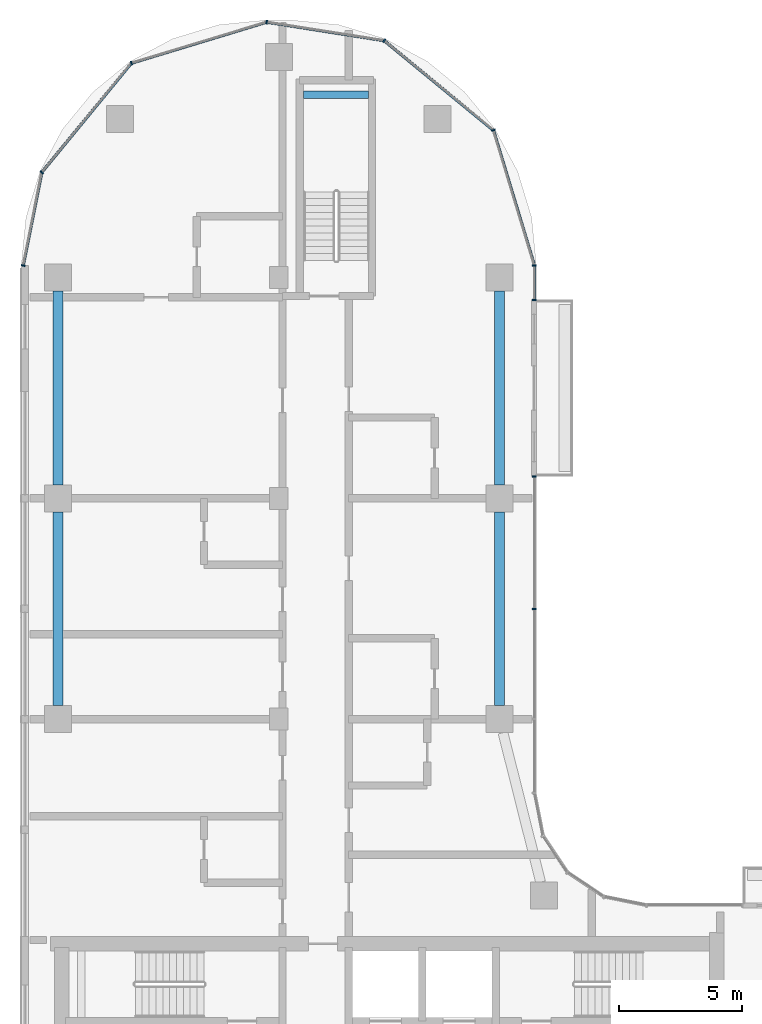
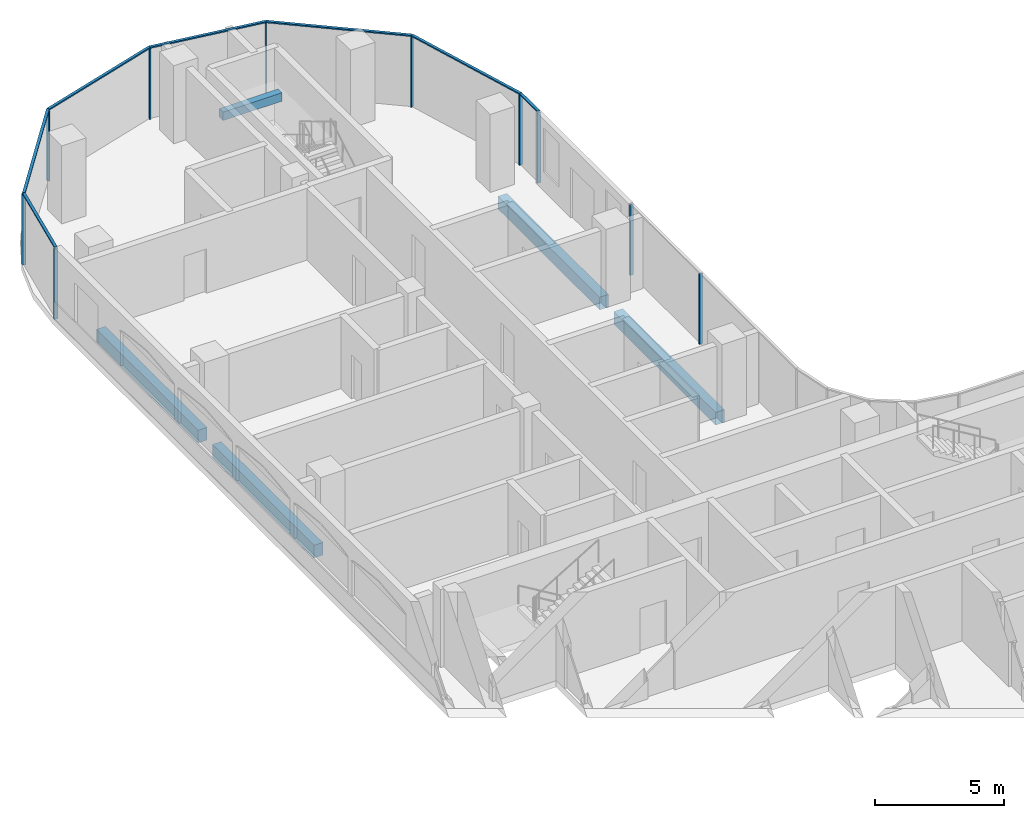
# One storey, part 4 of 22: 17 members, 5 beams, 3 elements without a shape of their own.
"""IFC4 building model written with IfcOpenShell, lengths in metres."""

from ifc_helpers import new_model, si_unit, direction, frame, origin, origin_2d, place, context, subcontext, project, spatial, rectangle, extrude, material, material_profile, profile_set, type_object, element, aggregate, save


model = new_model("IFC4")

# Units and contexts
model_context = context("Model", 3, precision=1e-05, world=origin(), true_north=direction((0.0, 1.0)))
body_context = subcontext(model_context, "Body", "Model", "MODEL_VIEW")
ifc_project = project(units=[si_unit("LENGTHUNIT", "METRE"), si_unit("AREAUNIT", "SQUARE_METRE"), si_unit("VOLUMEUNIT", "CUBIC_METRE"), si_unit("PLANEANGLEUNIT", "RADIAN"), si_unit("MASSUNIT", "GRAM", prefix="KILO")], contexts=[model_context])

# Site, building, storey
site_placement = place(None, origin())
site = spatial("IfcSite", under=ifc_project, at=site_placement, CompositionType="ELEMENT")
building_placement = place(site_placement, origin())
building = spatial("IfcBuilding", under=site, at=building_placement, Name="Ogive Portal Towers", CompositionType="ELEMENT")
storey_placement = place(building_placement, frame((0.0, 0.0, 145.89990234375)))
storey = spatial("IfcBuildingStorey", under=building, at=storey_placement, Name="L35", CompositionType="ELEMENT", Elevation=145.89990234375)

# Beam
ifc_material_1 = material(Name="Concrete C40/50", Category="concrete")
ifc_material_profile_1 = material_profile(ifc_material_1, rectangle(XDim=0.300048828125, YDim=0.39990234375, at=origin_2d()), Name="RC 300x400")
ifc_profile_set_1 = profile_set([ifc_material_profile_1], Name="Concrete C40/50")
beam_type_1 = type_object("IfcBeamType", Name="BEAM RC 300x400", PredefinedType="BEAM", material=ifc_profile_set_1)
beam_placement = place(storey_placement, frame((41.5, 73.949951171875, 1.4501953125), z_axis=(1.0, 0.0, 0.0), x_axis=(0.0, 1.0, 0.0)))
element("IfcBeam", 1, at=beam_placement, inside=storey, type_object=beam_type_1, Name="Landing beam L35", PredefinedType="BEAM", context=body_context, shape_type="SweptSolid", body=[
    extrude(rectangle(XDim=0.300048828125, YDim=0.39990234375, at=origin_2d()), origin(), (0.0, 0.0, 1.0), 2.64990234375),
])

# Curtain wall, members
ifc_material_2 = material(Name="Glass, clear low-iron insulated glazing", Category="glass")
curtain_wall_type = type_object("IfcCurtainWallType", Name="CW FRONT RIBBON 4500", PredefinedType="NOTDEFINED", material=ifc_material_2)
curtain_wall_1_placement = place(storey_placement, origin())
curtain_wall_1 = element("IfcCurtainWall", 2, at=curtain_wall_1_placement, inside=storey, type_object=curtain_wall_type, Name="A:L35:f17:cw0", PredefinedType="NOTDEFINED")
ifc_material_3 = material(Name="Aluminium 6063 anodised", Category="aluminium")
ifc_material_profile_2 = material_profile(ifc_material_3, rectangle(XDim=0.159912109375, YDim=0.06005859375, at=origin_2d()), Name="AL 60x160")
ifc_profile_set_2 = profile_set([ifc_material_profile_2], Name="Aluminium 6063 anodised")
member_type_1 = type_object("IfcMemberType", Name="CW MULLION 60x160", PredefinedType="MULLION", material=ifc_profile_set_2)
member_1_placement = place(storey_placement, frame((50.919921875, 53.0, 0.0), z_axis=(0.0, 0.0, 1.0), x_axis=(-1.0, 0.0, 0.0)))
member_1 = element("IfcMember", 3, at=member_1_placement, type_object=member_type_1, Name="mullion", PredefinedType="MULLION", context=body_context, shape_type="SweptSolid", body=[
    extrude(rectangle(XDim=0.159912109375, YDim=0.06005859375, at=origin_2d()), origin(), (0.0, 0.0, 1.0), 3.340087890625),
])
member_2_placement = place(storey_placement, frame((50.919921875, 58.3896484375, 0.0), z_axis=(0.0, 0.0, 1.0), x_axis=(-1.0, 0.0, 0.0)))
member_2 = element("IfcMember", 4, at=member_2_placement, type_object=member_type_1, Name="mullion", PredefinedType="MULLION", context=body_context, shape_type="SweptSolid", body=[
    extrude(rectangle(XDim=0.159912109375, YDim=0.06005859375, at=origin_2d()), origin(), (0.0, 0.0, 1.0), 3.340087890625),
])
aggregate(curtain_wall_1, [member_1, member_2])

curtain_wall_2_placement = place(storey_placement, origin())
curtain_wall_2 = element("IfcCurtainWall", 5, at=curtain_wall_2_placement, inside=storey, type_object=curtain_wall_type, Name="A:L35:f17:cw1", PredefinedType="NOTDEFINED")
member_3_placement = place(storey_placement, frame((50.919921875, 65.58837890625, 0.0), z_axis=(0.0, 0.0, 1.0), x_axis=(-1.0, 0.0, 0.0)))
member_3 = element("IfcMember", 6, at=member_3_placement, type_object=member_type_1, Name="mullion", PredefinedType="MULLION", context=body_context, shape_type="SweptSolid", body=[
    extrude(rectangle(XDim=0.159912109375, YDim=0.06005859375, at=origin_2d()), origin(), (0.0, 0.0, 1.0), 3.340087890625),
])
member_4_placement = place(storey_placement, frame((50.919921875, 66.988037109375, 0.0), z_axis=(0.0, 0.0, 1.0), x_axis=(-1.0, 0.0, 0.0)))
member_4 = element("IfcMember", 7, at=member_4_placement, type_object=member_type_1, Name="mullion", PredefinedType="MULLION", context=body_context, shape_type="SweptSolid", body=[
    extrude(rectangle(XDim=0.159912109375, YDim=0.06005859375, at=origin_2d()), origin(), (0.0, 0.0, 1.0), 3.340087890625),
])

curtain_wall_3_placement = place(storey_placement, origin())
curtain_wall_3 = element("IfcCurtainWall", 8, at=curtain_wall_3_placement, inside=storey, type_object=curtain_wall_type, Name="A:L35:f18:cwa", PredefinedType="NOTDEFINED")
member_5_placement = place(storey_placement, frame((49.2451171875, 72.50927734375, 0.0), z_axis=(0.0, 0.0, 1.0), x_axis=(-0.956940335732, -0.290284677254, 0.0)))
member_5 = element("IfcMember", 9, at=member_5_placement, type_object=member_type_1, Name="mullion", PredefinedType="MULLION", context=body_context, shape_type="SweptSolid", body=[
    extrude(rectangle(XDim=0.159912109375, YDim=0.06005859375, at=origin_2d()), origin(), (0.0, 0.0, 1.0), 3.340087890625),
])
member_6_placement = place(storey_placement, frame((44.79296875, 76.1630859375, 0.0), z_axis=(0.0, 0.0, 1.0), x_axis=(-0.634393284164, -0.773010453363, 0.0)))
member_6 = element("IfcMember", 10, at=member_6_placement, type_object=member_type_1, Name="mullion", PredefinedType="MULLION", context=body_context, shape_type="SweptSolid", body=[
    extrude(rectangle(XDim=0.159912109375, YDim=0.06005859375, at=origin_2d()), origin(), (0.0, 0.0, 1.0), 3.340087890625),
])
member_7_placement = place(storey_placement, frame((40.005615234375, 76.918212890625, 0.0), z_axis=(0.0, 0.0, 1.0), x_axis=(-0.155777466355, -0.987792174992, 0.0)))
member_7 = element("IfcMember", 11, at=member_7_placement, type_object=member_type_1, Name="mullion", PredefinedType="MULLION", context=body_context, shape_type="SweptSolid", body=[
    extrude(rectangle(XDim=0.159912109375, YDim=0.06005859375, at=origin_2d()), origin(), (0.0, 0.0, 1.0), 3.340087890625),
])
member_8_placement = place(storey_placement, frame((34.49072265625, 75.2451171875, 0.0), z_axis=(0.0, 0.0, 1.0), x_axis=(0.290284677254, -0.956940335732, 0.0)))
member_8 = element("IfcMember", 12, at=member_8_placement, type_object=member_type_1, Name="mullion", PredefinedType="MULLION", context=body_context, shape_type="SweptSolid", body=[
    extrude(rectangle(XDim=0.159912109375, YDim=0.06005859375, at=origin_2d()), origin(), (0.0, 0.0, 1.0), 3.340087890625),
])
member_9_placement = place(storey_placement, frame((30.835693359375, 70.79150390625, 0.0), z_axis=(0.0, 0.0, 1.0), x_axis=(0.773010453363, -0.634393284164, 0.0)))
member_9 = element("IfcMember", 13, at=member_9_placement, type_object=member_type_1, Name="mullion", PredefinedType="MULLION", context=body_context, shape_type="SweptSolid", body=[
    extrude(rectangle(XDim=0.159912109375, YDim=0.06005859375, at=origin_2d()), origin(), (0.0, 0.0, 1.0), 3.340087890625),
])
member_10_placement = place(storey_placement, frame((30.080078125, 66.9921875, 0.0), z_axis=(0.0, 0.0, 1.0), x_axis=(0.980785280403, -0.195090322016, 0.0)))
member_10 = element("IfcMember", 14, at=member_10_placement, type_object=member_type_1, Name="mullion", PredefinedType="MULLION", context=body_context, shape_type="SweptSolid", body=[
    extrude(rectangle(XDim=0.159912109375, YDim=0.06005859375, at=origin_2d()), origin(), (0.0, 0.0, 1.0), 3.340087890625),
])

# Member
ifc_material_profile_3 = material_profile(ifc_material_3, rectangle(XDim=0.1201171875, YDim=0.06005859375, at=origin_2d()), Name="AL 120x60")
ifc_profile_set_3 = profile_set([ifc_material_profile_3], Name="Aluminium 6063 anodised")
member_type_2 = type_object("IfcMemberType", Name="CW TRANSOM 60x120", PredefinedType="USERDEFINED", material=ifc_profile_set_3)
member_11_placement = place(storey_placement, frame((50.919921875, 65.58837890625, 3.3701171875), z_axis=(0.0, 1.0, 0.0), x_axis=(-1.0, 0.0, 0.0)))
member_11 = element("IfcMember", 15, at=member_11_placement, type_object=member_type_2, Name="transom", ObjectType="TRANSOM", PredefinedType="USERDEFINED", context=body_context, shape_type="SweptSolid", body=[
    extrude(rectangle(XDim=0.1201171875, YDim=0.06005859375, at=origin_2d()), origin(), (0.0, 0.0, 1.0), 1.399658203125),
])

aggregate(curtain_wall_2, [member_11, member_3, member_4])

member_12_placement = place(storey_placement, frame((50.919921875, 66.988037109375, 3.3701171875), z_axis=(-0.290277499028, 0.956942513194, 0.0), x_axis=(-0.956942513194, -0.290277499028, 0.0)))
member_12 = element("IfcMember", 16, at=member_12_placement, type_object=member_type_2, Name="transom", ObjectType="TRANSOM", PredefinedType="USERDEFINED", context=body_context, shape_type="SweptSolid", body=[
    extrude(rectangle(XDim=0.1201171875, YDim=0.06005859375, at=origin_2d()), origin(), (0.0, 0.0, 1.0), 5.769775390625),
])

member_13_placement = place(storey_placement, frame((49.2451171875, 72.50927734375, 3.3701171875), z_axis=(-0.773008341981, 0.634395856881, 0.0), x_axis=(-0.634395856881, -0.773008341981, 0.0)))
member_13 = element("IfcMember", 17, at=member_13_placement, type_object=member_type_2, Name="transom", ObjectType="TRANSOM", PredefinedType="USERDEFINED", context=body_context, shape_type="SweptSolid", body=[
    extrude(rectangle(XDim=0.1201171875, YDim=0.06005859375, at=origin_2d()), origin(), (0.0, 0.0, 1.0), 5.759521484375),
])

member_14_placement = place(storey_placement, frame((44.79296875, 76.1630859375, 3.3701171875), z_axis=(-0.987787459497, 0.155807364589, 0.0), x_axis=(-0.155807364589, -0.987787459497, 0.0)))
member_14 = element("IfcMember", 18, at=member_14_placement, type_object=member_type_2, Name="transom", ObjectType="TRANSOM", PredefinedType="USERDEFINED", context=body_context, shape_type="SweptSolid", body=[
    extrude(rectangle(XDim=0.1201171875, YDim=0.06005859375, at=origin_2d()), origin(), (0.0, 0.0, 1.0), 4.846435546875),
])

member_15_placement = place(storey_placement, frame((40.005615234375, 76.918212890625, 3.3701171875), z_axis=(-0.956932077168, -0.290311900697, 0.0), x_axis=(0.290311900697, -0.956932077168, 0.0)))
member_15 = element("IfcMember", 19, at=member_15_placement, type_object=member_type_2, Name="transom", ObjectType="TRANSOM", PredefinedType="USERDEFINED", context=body_context, shape_type="SweptSolid", body=[
    extrude(rectangle(XDim=0.1201171875, YDim=0.06005859375, at=origin_2d()), origin(), (0.0, 0.0, 1.0), 5.76318359375),
])

member_16_placement = place(storey_placement, frame((34.49072265625, 75.2451171875, 3.3701171875), z_axis=(-0.63439777858, -0.773006764869, 0.0), x_axis=(0.773006764869, -0.63439777858, 0.0)))
member_16 = element("IfcMember", 20, at=member_16_placement, type_object=member_type_2, Name="transom", ObjectType="TRANSOM", PredefinedType="USERDEFINED", context=body_context, shape_type="SweptSolid", body=[
    extrude(rectangle(XDim=0.1201171875, YDim=0.06005859375, at=origin_2d()), origin(), (0.0, 0.0, 1.0), 5.761474609375),
])

member_17_placement = place(storey_placement, frame((30.835693359375, 70.79150390625, 3.3701171875), z_axis=(-0.195061569373, -0.980790999221, 0.0), x_axis=(0.980790999221, -0.195061569373, 0.0)))
member_17 = element("IfcMember", 21, at=member_17_placement, type_object=member_type_2, Name="transom", ObjectType="TRANSOM", PredefinedType="USERDEFINED", context=body_context, shape_type="SweptSolid", body=[
    extrude(rectangle(XDim=0.1201171875, YDim=0.06005859375, at=origin_2d()), origin(), (0.0, 0.0, 1.0), 3.873779296875),
])

aggregate(curtain_wall_3, [member_12, member_13, member_14, member_15, member_16, member_17, member_5, member_6, member_7, member_8, member_9, member_10])

# Beams
ifc_material_profile_4 = material_profile(ifc_material_1, rectangle(XDim=0.39990234375, YDim=0.60009765625, at=origin_2d()), Name="RC 400x600")
ifc_profile_set_4 = profile_set([ifc_material_profile_4], Name="Concrete C40/50")
beam_type_2 = type_object("IfcBeamType", Name="SPANDREL BEAM RC 400x600", PredefinedType="BEAM", material=ifc_profile_set_4)
for number, where, z_axis, x_axis, name in (
    (22, (31.5, 49.050048828125, -0.599853515625), (0.0, 1.0, 0.0), (-1.0, 0.0, 0.0), "Spandrel beam L35"),
    (23, (31.5, 58.050048828125, -0.599853515625), (0.0, 1.0, 0.0), (-1.0, 0.0, 0.0), "Spandrel beam L35"),
    (24, (49.5, 65.949951171875, -0.599853515625), (0.0, -1.0, 0.0), (1.0, 0.0, 0.0), "Spandrel beam L35"),
    (25, (49.5, 56.949951171875, -0.599853515625), (0.0, -1.0, 0.0), (1.0, 0.0, 0.0), "Spandrel beam L35"),
):
    element("IfcBeam", number, at=place(storey_placement, frame(where, z_axis=z_axis, x_axis=x_axis)), inside=storey, type_object=beam_type_2, Name=name, PredefinedType="BEAM", context=body_context, shape_type="SweptSolid", body=[
        extrude(rectangle(XDim=0.39990234375, YDim=0.60009765625, at=origin_2d()), origin(), (0.0, 0.0, 1.0), 7.89990234375),
    ])

save(model, "model.ifc")
